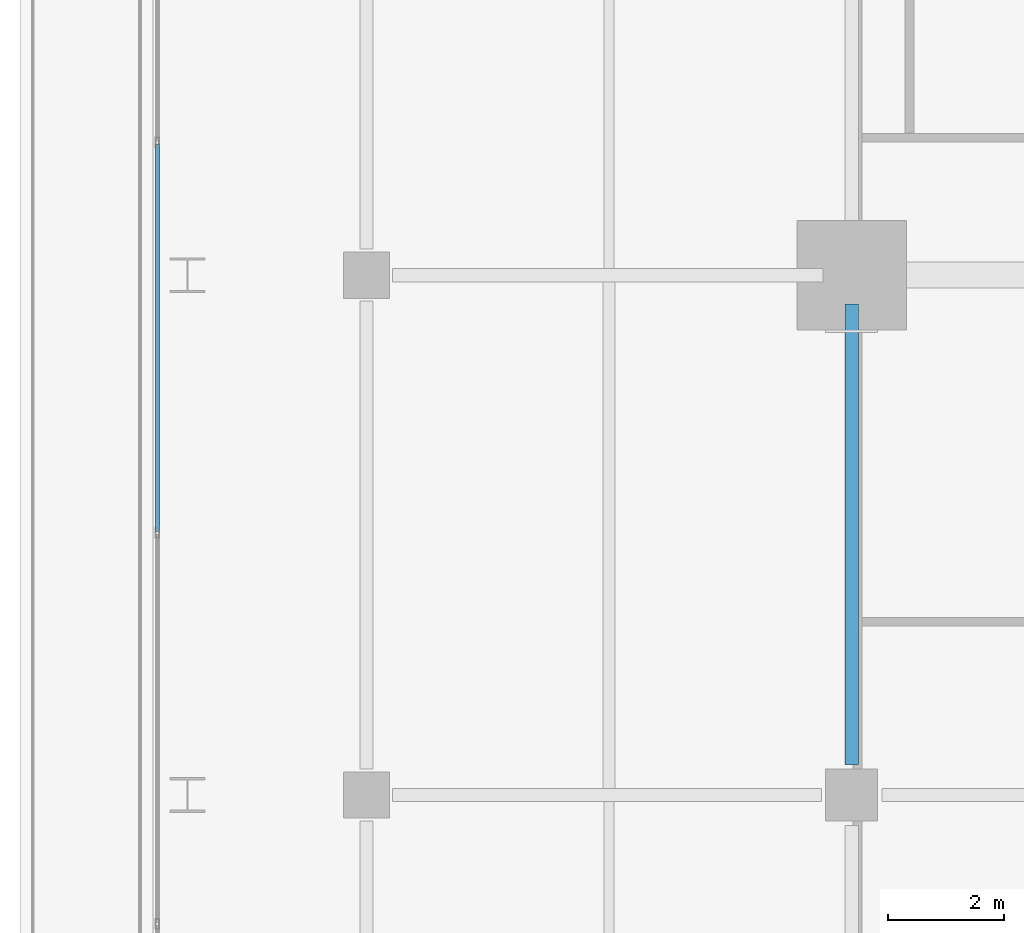
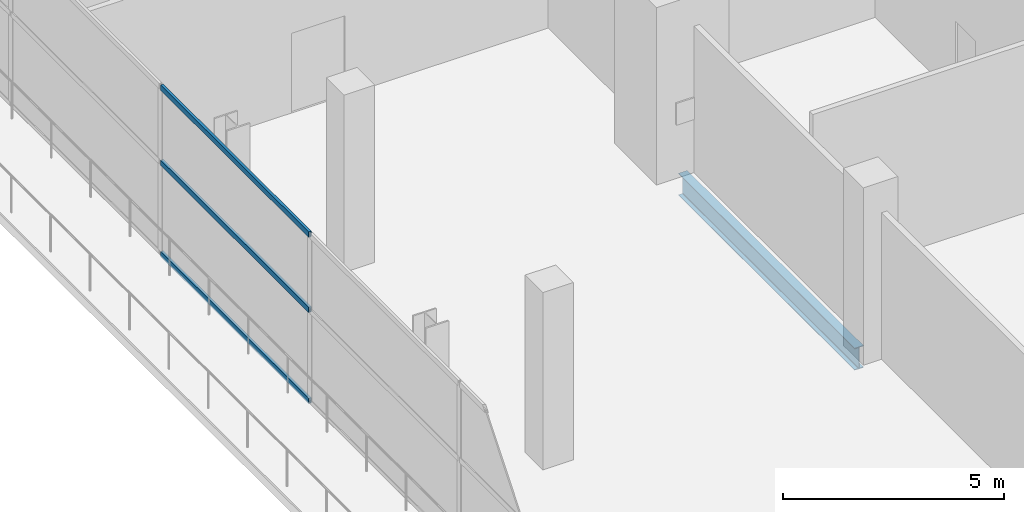
# One storey, part 8 of 31: 3 members, 1 beam, 1 element without a shape of its own.
"""IFC4 building model written with IfcOpenShell, lengths in metres."""

from ifc_helpers import new_model, si_unit, direction, frame, origin, origin_2d, place, context, subcontext, project, spatial, hollow_rectangle, i_section, extrude, material, layer, layer_set, material_profile, profile_set, type_object, element, aggregate, save


model = new_model("IFC4")

# Units and contexts
model_context = context("Model", 3, precision=1e-05, world=origin(), true_north=direction((0.0, 1.0)))
body_context = subcontext(model_context, "Body", "Model", "MODEL_VIEW")
ifc_project = project(units=[si_unit("LENGTHUNIT", "METRE"), si_unit("AREAUNIT", "SQUARE_METRE"), si_unit("VOLUMEUNIT", "CUBIC_METRE"), si_unit("PLANEANGLEUNIT", "RADIAN"), si_unit("MASSUNIT", "GRAM", prefix="KILO")], contexts=[model_context])

# Site, building, storey
site_placement = place(None, origin())
site = spatial("IfcSite", under=ifc_project, at=site_placement, CompositionType="ELEMENT")
building_placement = place(site_placement, origin())
building = spatial("IfcBuilding", under=site, at=building_placement, Name="Maruvema Waterfront Hotel and Observation Tower", CompositionType="ELEMENT")
storey_placement = place(building_placement, frame((0.0, 0.0, 122.5)))
storey = spatial("IfcBuildingStorey", under=building, at=storey_placement, Name="L29", CompositionType="ELEMENT", Elevation=122.5)

# Curtain wall, members
ifc_material_1 = material(Name="Anodised bronze aluminium and solar-control low-E IGU", Category="aluminium")
ifc_layer = layer(ifc_material_1, 0.159912109375, Name="Zone 2 Amber Inner Thermal Curtain Wall System CW-03")
ifc_layer_set = layer_set([ifc_layer], Name="Anodised bronze aluminium and solar-control low-E IGU")
curtain_wall_type = type_object("IfcCurtainWallType", Name="Zone 2 Amber Inner Thermal Curtain Wall System CW-03", PredefinedType="USERDEFINED", material=ifc_layer_set)
curtain_wall_placement = place(storey_placement, origin())
curtain_wall = element("IfcCurtainWall", 1, at=curtain_wall_placement, inside=storey, type_object=curtain_wall_type, Name="L29 Curtain Wall CW-L29-W", ObjectType="UNITISED CURTAIN WALL", PredefinedType="USERDEFINED")
ifc_material_2 = material(Name="Anodised architectural bronze aluminium", Category="aluminium")
ifc_material_profile_1 = material_profile(ifc_material_2, hollow_rectangle(XDim=0.070068359375, YDim=0.14990234375, WallThickness=0.00390625, at=origin_2d()), Name="ALU-T70x150")
ifc_profile_set_1 = profile_set([ifc_material_profile_1], Name="Anodised architectural bronze aluminium")
member_type = type_object("IfcMemberType", Name="Curtain Wall Horizontal Transom ALU-T70x150", PredefinedType="USERDEFINED", material=ifc_profile_set_1)
member_1_placement = place(storey_placement, frame((13.179931640625, 29.27001953125, 0.030029296875), z_axis=(0.0, -1.0, 0.0), x_axis=(1.0, 0.0, 0.0)))
member_1 = element("IfcMember", 2, at=member_1_placement, type_object=member_type, Name="CW-03 transom 4.1", ObjectType="TRANSOM", PredefinedType="USERDEFINED", context=body_context, shape_type="SweptSolid", body=[
    extrude(hollow_rectangle(XDim=0.070068359375, YDim=0.14990234375, WallThickness=0.00390625, at=origin_2d()), origin(), (0.0, 0.0, 1.0), 6.706787109375),
])
member_2_placement = place(storey_placement, frame((13.179931640625, 29.27001953125, 2.550048828125), z_axis=(0.0, -1.0, 0.0), x_axis=(1.0, 0.0, 0.0)))
member_2 = element("IfcMember", 3, at=member_2_placement, type_object=member_type, Name="CW-03 transom 4.2", ObjectType="TRANSOM", PredefinedType="USERDEFINED", context=body_context, shape_type="SweptSolid", body=[
    extrude(hollow_rectangle(XDim=0.070068359375, YDim=0.14990234375, WallThickness=0.00390625, at=origin_2d()), origin(), (0.0, 0.0, 1.0), 6.706787109375),
])
member_3_placement = place(storey_placement, frame((13.179931640625, 29.27001953125, 4.6298828125), z_axis=(0.0, -1.0, 0.0), x_axis=(1.0, 0.0, 0.0)))
member_3 = element("IfcMember", 4, at=member_3_placement, type_object=member_type, Name="CW-03 transom 4.3", ObjectType="TRANSOM", PredefinedType="USERDEFINED", context=body_context, shape_type="SweptSolid", body=[
    extrude(hollow_rectangle(XDim=0.070068359375, YDim=0.14990234375, WallThickness=0.00390625, at=origin_2d()), origin(), (0.0, 0.0, 1.0), 6.706787109375),
])
aggregate(curtain_wall, [member_1, member_2, member_3])

# Beam
ifc_material_3 = material(Name="Steel ASTM A572 Grade 50", Category="steel")
ifc_material_profile_2 = material_profile(ifc_material_3, i_section(OverallWidth=0.22900390625, OverallDepth=0.612060546875, WebThickness=0.011962890625, FlangeThickness=0.01953125, FilletRadius=0.01806640625, at=origin_2d()), Name="W610x125.0")
ifc_profile_set_2 = profile_set([ifc_material_profile_2], Name="Steel ASTM A572 Grade 50")
beam_type = type_object("IfcBeamType", Name="Primary Floor Girder W610x125.0", PredefinedType="BEAM", material=ifc_profile_set_2)
beam_placement = place(storey_placement, frame((25.199951171875, 18.52490234375, -0.5458984375), z_axis=(0.0, 1.0, 0.0), x_axis=(-1.0, 0.0, 0.0)))
element("IfcBeam", 5, at=beam_placement, inside=storey, type_object=beam_type, Name="L29 Floor Girder NS-06", PredefinedType="BEAM", context=body_context, shape_type="SweptSolid", body=[
    extrude(i_section(OverallWidth=0.22900390625, OverallDepth=0.612060546875, WebThickness=0.011962890625, FlangeThickness=0.01953125, FilletRadius=0.01806640625, at=origin_2d()), origin(), (0.0, 0.0, 1.0), 7.97509765625),
])

save(model, "model.ifc")
